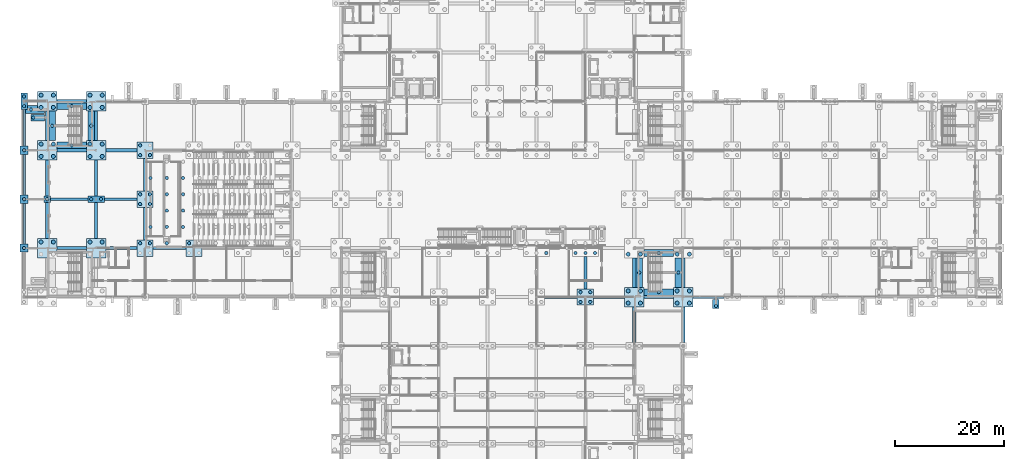
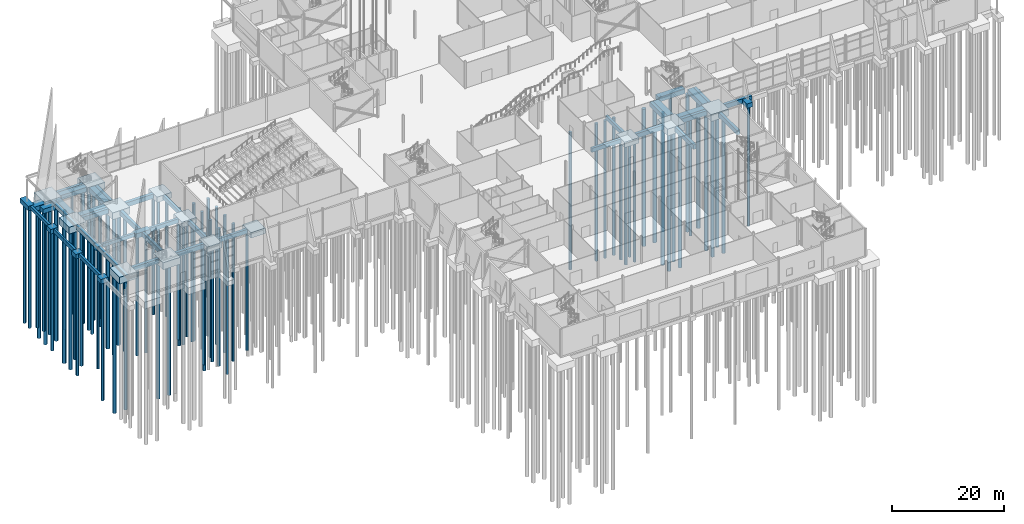
# One storey, part 4 of 139: 80 piles, 58 footings.
"""IFC4 building model written with IfcOpenShell, lengths in metres."""

from ifc_helpers import new_model, si_unit, direction, frame, origin, origin_2d, place, context, subcontext, project, spatial, polyline, rectangle, circle, outline, extrude, material, material_profile, profile_set, type_object, element, save


model = new_model("IFC4")

# Units and contexts
model_context = context("Model", 3, precision=1e-05, world=origin(), true_north=direction((0.0, 1.0)))
body_context = subcontext(model_context, "Body", "Model", "MODEL_VIEW")
ifc_project = project(units=[si_unit("LENGTHUNIT", "METRE"), si_unit("AREAUNIT", "SQUARE_METRE"), si_unit("VOLUMEUNIT", "CUBIC_METRE"), si_unit("PLANEANGLEUNIT", "RADIAN"), si_unit("MASSUNIT", "GRAM", prefix="KILO")], contexts=[model_context])

# Site, building, storey
site_placement = place(None, origin())
site = spatial("IfcSite", under=ifc_project, at=site_placement, CompositionType="ELEMENT")
building_placement = place(site_placement, origin())
building = spatial("IfcBuilding", under=site, at=building_placement, Name="Shorebreak Coast Museum", CompositionType="ELEMENT")
storey_placement = place(building_placement, origin())
storey = spatial("IfcBuildingStorey", under=building, at=storey_placement, Name="L00", CompositionType="ELEMENT", Elevation=0.0)

# Footings
ifc_material_1 = material(Name="Concrete N50 (50 MPa)", Category="concrete")
footing_type_1 = type_object("IfcFootingType", Name="Footing ground beam 450x800", PredefinedType="FOOTING_BEAM", material=ifc_material_1)
footing_1_placement = place(storey_placement, frame((4.050048828125, 72.0, -1.10009765625), z_axis=(0.0, 0.0, 1.0), x_axis=(1.0, 0.0, 0.0)))
element("IfcFooting", 1, at=footing_1_placement, inside=storey, type_object=footing_type_1, Name="Ground beam 1J to 2J", PredefinedType="FOOTING_BEAM", context=body_context, shape_type="SweptSolid", body=[
    extrude(rectangle(XDim=6.89990234375, YDim=0.449951171875, at=origin_2d()), origin(), (0.0, 0.0, 1.0), 0.800048828125),
])
for number, where, z_axis, x_axis, name in (
    (2, (-4.25, 67.5, -1.10009765625), (0.0, 0.0, 1.0), (1.0, 0.0, 0.0), "Ground beam arcade west 2 to 3"),
    (3, (-4.25, 76.5, -1.10009765625), (0.0, 0.0, 1.0), (1.0, 0.0, 0.0), "Ground beam arcade west 3 to 4"),
):
    element("IfcFooting", number, at=place(storey_placement, frame(where, z_axis=z_axis, x_axis=x_axis)), inside=storey, type_object=footing_type_1, Name=name, PredefinedType="FOOTING_BEAM", context=body_context, shape_type="SweptSolid", body=[
        extrude(rectangle(XDim=0.449951171875, YDim=7.5, at=origin_2d()), origin(), (0.0, 0.0, 1.0), 0.800048828125),
    ])
footing_2_placement = place(storey_placement, frame((-4.25, 85.125, -1.10009765625), z_axis=(0.0, 0.0, 1.0), x_axis=(1.0, 0.0, 0.0)))
element("IfcFooting", 4, at=footing_2_placement, inside=storey, type_object=footing_type_1, Name="Ground beam arcade west 4 to 5", PredefinedType="FOOTING_BEAM", context=body_context, shape_type="SweptSolid", body=[
    extrude(rectangle(XDim=0.449951171875, YDim=6.75, at=origin_2d()), origin(), (0.0, 0.0, 1.0), 0.800048828125),
])
ifc_material_2 = material(Name="Concrete N50 (50 MPa)", Category="concrete")
footing_type_2 = type_object("IfcFootingType", Name="Footing ground beam 500x900", PredefinedType="FOOTING_BEAM", material=ifc_material_2)
footing_3_placement = place(storey_placement, frame((94.5, 54.0, -1.199951171875), z_axis=(0.0, 0.0, 1.0), x_axis=(1.0, 0.0, 0.0)))
element("IfcFooting", 5, at=footing_3_placement, inside=storey, type_object=footing_type_2, Name="Ground beam 11G to 12G", PredefinedType="FOOTING_BEAM", context=body_context, shape_type="SweptSolid", body=[
    extrude(rectangle(XDim=6.0, YDim=0.5, at=origin_2d()), origin(), (0.0, 0.0, 1.0), 0.89990234375),
])
footing_4_placement = place(storey_placement, frame((99.0, 58.5, -1.199951171875), z_axis=(0.0, 0.0, 1.0), x_axis=(1.0, 0.0, 0.0)))
element("IfcFooting", 6, at=footing_4_placement, inside=storey, type_object=footing_type_2, Name="Ground beam 12G to 12H", PredefinedType="FOOTING_BEAM", context=body_context, shape_type="SweptSolid", body=[
    extrude(rectangle(XDim=0.5, YDim=6.0, at=origin_2d()), origin(), (0.0, 0.0, 1.0), 0.89990234375),
])
footing_5_placement = place(storey_placement, frame((22.5, 63.0, -1.199951171875), z_axis=(0.0, 0.0, 1.0), x_axis=(1.0, 0.0, 0.0)))
element("IfcFooting", 7, at=footing_5_placement, inside=storey, type_object=footing_type_2, Name="Ground beam 3H to 4H", PredefinedType="FOOTING_BEAM", context=body_context, shape_type="SweptSolid", body=[
    extrude(rectangle(XDim=6.0, YDim=0.5, at=origin_2d()), origin(), (0.0, 0.0, 1.0), 0.89990234375),
])
footing_6_placement = place(storey_placement, frame((18.0, 67.5, -1.199951171875), z_axis=(0.0, 0.0, 1.0), x_axis=(1.0, 0.0, 0.0)))
element("IfcFooting", 8, at=footing_6_placement, inside=storey, type_object=footing_type_2, Name="Ground beam 3H to 3J", PredefinedType="FOOTING_BEAM", context=body_context, shape_type="SweptSolid", body=[
    extrude(rectangle(XDim=0.5, YDim=6.0, at=origin_2d()), origin(), (0.0, 0.0, 1.0), 0.89990234375),
])
footing_7_placement = place(storey_placement, frame((13.5, 72.0, -1.199951171875), z_axis=(0.0, 0.0, 1.0), x_axis=(1.0, 0.0, 0.0)))
element("IfcFooting", 9, at=footing_7_placement, inside=storey, type_object=footing_type_2, Name="Ground beam 2J to 3J", PredefinedType="FOOTING_BEAM", context=body_context, shape_type="SweptSolid", body=[
    extrude(rectangle(XDim=6.0, YDim=0.5, at=origin_2d()), origin(), (0.0, 0.0, 1.0), 0.89990234375),
])
footing_8_placement = place(storey_placement, frame((18.0, 76.5, -1.199951171875), z_axis=(0.0, 0.0, 1.0), x_axis=(1.0, 0.0, 0.0)))
element("IfcFooting", 10, at=footing_8_placement, inside=storey, type_object=footing_type_2, Name="Ground beam 3J to 3K", PredefinedType="FOOTING_BEAM", context=body_context, shape_type="SweptSolid", body=[
    extrude(rectangle(XDim=0.5, YDim=6.0, at=origin_2d()), origin(), (0.0, 0.0, 1.0), 0.89990234375),
])
ifc_material_3 = material(Name="Concrete N50 (50 MPa)", Category="concrete")
footing_type_3 = type_object("IfcFootingType", Name="Footing ground beam 600x1000", PredefinedType="FOOTING_BEAM", material=ifc_material_3)
for number, where, z_axis, x_axis, name in (
    (11, (108.0, 48.89990234375, -1.300048828125), (0.0, 0.0, 1.0), (1.0, 0.0, 0.0), "Ground beam 13F to 13G"),
    (12, (117.0, 48.89990234375, -1.300048828125), (0.0, 0.0, 1.0), (1.0, 0.0, 0.0), "Ground beam 14F to 14G"),
):
    element("IfcFooting", number, at=place(storey_placement, frame(where, z_axis=z_axis, x_axis=x_axis)), inside=storey, type_object=footing_type_3, Name=name, PredefinedType="FOOTING_BEAM", context=body_context, shape_type="SweptSolid", body=[
        extrude(rectangle(XDim=0.60009765625, YDim=6.60009765625, at=origin_2d()), origin(), (0.0, 0.0, 1.0), 1.0),
    ])
footing_9_placement = place(storey_placement, frame((103.35009765625, 54.0, -1.300048828125), z_axis=(0.0, 0.0, 1.0), x_axis=(1.0, 0.0, 0.0)))
element("IfcFooting", 13, at=footing_9_placement, inside=storey, type_object=footing_type_3, Name="Ground beam 12G to 13G", PredefinedType="FOOTING_BEAM", context=body_context, shape_type="SweptSolid", body=[
    extrude(rectangle(XDim=5.699951171875, YDim=0.60009765625, at=origin_2d()), origin(), (0.0, 0.0, 1.0), 1.0),
])
footing_10_placement = place(storey_placement, frame((112.5, 54.0, -1.300048828125), z_axis=(0.0, 0.0, 1.0), x_axis=(1.0, 0.0, 0.0)))
element("IfcFooting", 14, at=footing_10_placement, inside=storey, type_object=footing_type_3, Name="Ground beam 13G to 14G", PredefinedType="FOOTING_BEAM", context=body_context, shape_type="SweptSolid", body=[
    extrude(rectangle(XDim=5.39990234375, YDim=0.60009765625, at=origin_2d()), origin(), (0.0, 0.0, 1.0), 1.0),
])
footing_11_placement = place(storey_placement, frame((108.0, 58.5, -1.300048828125), z_axis=(0.0, 0.0, 1.0), x_axis=(1.0, 0.0, 0.0)))
element("IfcFooting", 15, at=footing_11_placement, inside=storey, type_object=footing_type_3, Name="Ground beam 13G to 13H", PredefinedType="FOOTING_BEAM", context=body_context, shape_type="SweptSolid", body=[
    extrude(rectangle(XDim=0.60009765625, YDim=5.39990234375, at=origin_2d()), origin(), (0.0, 0.0, 1.0), 1.0),
])
footing_12_placement = place(storey_placement, frame((121.64990234375, 54.0, -1.300048828125), z_axis=(0.0, 0.0, 1.0), x_axis=(1.0, 0.0, 0.0)))
element("IfcFooting", 16, at=footing_12_placement, inside=storey, type_object=footing_type_3, Name="Ground beam 14G to 15G", PredefinedType="FOOTING_BEAM", context=body_context, shape_type="SweptSolid", body=[
    extrude(rectangle(XDim=5.699951171875, YDim=0.60009765625, at=origin_2d()), origin(), (0.0, 0.0, 1.0), 1.0),
])
footing_13_placement = place(storey_placement, frame((117.0, 58.5, -1.300048828125), z_axis=(0.0, 0.0, 1.0), x_axis=(1.0, 0.0, 0.0)))
element("IfcFooting", 17, at=footing_13_placement, inside=storey, type_object=footing_type_3, Name="Ground beam 14G to 14H", PredefinedType="FOOTING_BEAM", context=body_context, shape_type="SweptSolid", body=[
    extrude(rectangle(XDim=0.60009765625, YDim=5.39990234375, at=origin_2d()), origin(), (0.0, 0.0, 1.0), 1.0),
])
footing_14_placement = place(storey_placement, frame((4.5, 63.0, -1.300048828125), z_axis=(0.0, 0.0, 1.0), x_axis=(1.0, 0.0, 0.0)))
element("IfcFooting", 18, at=footing_14_placement, inside=storey, type_object=footing_type_3, Name="Ground beam 1H to 2H", PredefinedType="FOOTING_BEAM", context=body_context, shape_type="SweptSolid", body=[
    extrude(rectangle(XDim=5.39990234375, YDim=0.60009765625, at=origin_2d()), origin(), (0.0, 0.0, 1.0), 1.0),
])
footing_15_placement = place(storey_placement, frame((0.0, 68.10009765625, -1.300048828125), z_axis=(0.0, 0.0, 1.0), x_axis=(1.0, 0.0, 0.0)))
element("IfcFooting", 19, at=footing_15_placement, inside=storey, type_object=footing_type_3, Name="Ground beam 1H to 1J", PredefinedType="FOOTING_BEAM", context=body_context, shape_type="SweptSolid", body=[
    extrude(rectangle(XDim=0.60009765625, YDim=6.60009765625, at=origin_2d()), origin(), (0.0, 0.0, 1.0), 1.0),
])
footing_16_placement = place(storey_placement, frame((13.64990234375, 63.0, -1.300048828125), z_axis=(0.0, 0.0, 1.0), x_axis=(1.0, 0.0, 0.0)))
element("IfcFooting", 20, at=footing_16_placement, inside=storey, type_object=footing_type_3, Name="Ground beam 2H to 3H", PredefinedType="FOOTING_BEAM", context=body_context, shape_type="SweptSolid", body=[
    extrude(rectangle(XDim=5.699951171875, YDim=0.60009765625, at=origin_2d()), origin(), (0.0, 0.0, 1.0), 1.0),
])
for number, where, z_axis, x_axis, name in (
    (21, (9.0, 68.10009765625, -1.300048828125), (0.0, 0.0, 1.0), (1.0, 0.0, 0.0), "Ground beam 2H to 2J"),
    (22, (0.0, 75.89990234375, -1.300048828125), (0.0, 0.0, 1.0), (1.0, 0.0, 0.0), "Ground beam 1J to 1K"),
    (23, (9.0, 75.89990234375, -1.300048828125), (0.0, 0.0, 1.0), (1.0, 0.0, 0.0), "Ground beam 2J to 2K"),
):
    element("IfcFooting", number, at=place(storey_placement, frame(where, z_axis=z_axis, x_axis=x_axis)), inside=storey, type_object=footing_type_3, Name=name, PredefinedType="FOOTING_BEAM", context=body_context, shape_type="SweptSolid", body=[
        extrude(rectangle(XDim=0.60009765625, YDim=6.60009765625, at=origin_2d()), origin(), (0.0, 0.0, 1.0), 1.0),
    ])
footing_17_placement = place(storey_placement, frame((4.5, 81.0, -1.300048828125), z_axis=(0.0, 0.0, 1.0), x_axis=(1.0, 0.0, 0.0)))
element("IfcFooting", 24, at=footing_17_placement, inside=storey, type_object=footing_type_3, Name="Ground beam 1K to 2K", PredefinedType="FOOTING_BEAM", context=body_context, shape_type="SweptSolid", body=[
    extrude(rectangle(XDim=5.39990234375, YDim=0.60009765625, at=origin_2d()), origin(), (0.0, 0.0, 1.0), 1.0),
])
footing_18_placement = place(storey_placement, frame((0.0, 85.5, -1.300048828125), z_axis=(0.0, 0.0, 1.0), x_axis=(1.0, 0.0, 0.0)))
element("IfcFooting", 25, at=footing_18_placement, inside=storey, type_object=footing_type_3, Name="Ground beam 1K to 1L", PredefinedType="FOOTING_BEAM", context=body_context, shape_type="SweptSolid", body=[
    extrude(rectangle(XDim=0.60009765625, YDim=5.39990234375, at=origin_2d()), origin(), (0.0, 0.0, 1.0), 1.0),
])
footing_19_placement = place(storey_placement, frame((13.64990234375, 81.0, -1.300048828125), z_axis=(0.0, 0.0, 1.0), x_axis=(1.0, 0.0, 0.0)))
element("IfcFooting", 26, at=footing_19_placement, inside=storey, type_object=footing_type_3, Name="Ground beam 2K to 3K", PredefinedType="FOOTING_BEAM", context=body_context, shape_type="SweptSolid", body=[
    extrude(rectangle(XDim=5.699951171875, YDim=0.60009765625, at=origin_2d()), origin(), (0.0, 0.0, 1.0), 1.0),
])
footing_20_placement = place(storey_placement, frame((9.0, 85.5, -1.300048828125), z_axis=(0.0, 0.0, 1.0), x_axis=(1.0, 0.0, 0.0)))
element("IfcFooting", 27, at=footing_20_placement, inside=storey, type_object=footing_type_3, Name="Ground beam 2K to 2L", PredefinedType="FOOTING_BEAM", context=body_context, shape_type="SweptSolid", body=[
    extrude(rectangle(XDim=0.60009765625, YDim=5.39990234375, at=origin_2d()), origin(), (0.0, 0.0, 1.0), 1.0),
])
footing_21_placement = place(storey_placement, frame((4.5, 90.0, -1.300048828125), z_axis=(0.0, 0.0, 1.0), x_axis=(1.0, 0.0, 0.0)))
element("IfcFooting", 28, at=footing_21_placement, inside=storey, type_object=footing_type_3, Name="Ground beam 1L to 2L", PredefinedType="FOOTING_BEAM", context=body_context, shape_type="SweptSolid", body=[
    extrude(rectangle(XDim=5.39990234375, YDim=0.60009765625, at=origin_2d()), origin(), (0.0, 0.0, 1.0), 1.0),
])
ifc_material_4 = material(Name="Concrete N50 (50 MPa)", Category="concrete")
footing_type_4 = type_object("IfcFootingType", Name="Footing pile cap 1200x1200x1000", PredefinedType="PILE_CAP", material=ifc_material_4)
footing_22_placement = place(storey_placement, frame((0.0, 72.0, -1.300048828125), z_axis=(0.0, 0.0, 1.0), x_axis=(1.0, 0.0, 0.0)))
element("IfcFooting", 29, at=footing_22_placement, inside=storey, type_object=footing_type_4, Name="Pile cap 1J", PredefinedType="PILE_CAP", context=body_context, shape_type="SweptSolid", body=[
    extrude(rectangle(XDim=1.199951171875, YDim=1.199951171875, at=origin_2d()), origin(), (0.0, 0.0, 1.0), 1.0),
])
ifc_material_5 = material(Name="Concrete N50 (50 MPa)", Category="concrete")
footing_type_5 = type_object("IfcFootingType", Name="Footing pile cap 1200x3000x1000", PredefinedType="PILE_CAP", material=ifc_material_5)
footing_23_placement = place(storey_placement, frame((-4.25, 90.0, -1.300048828125), z_axis=(0.0, 0.0, 1.0), x_axis=(1.0, 0.0, 0.0)))
element("IfcFooting", 30, at=footing_23_placement, inside=storey, type_object=footing_type_5, Name="Pile cap arcade west 5", PredefinedType="PILE_CAP", context=body_context, shape_type="SweptSolid", body=[
    extrude(rectangle(XDim=1.199951171875, YDim=3.0, at=origin_2d()), origin(), (0.0, 0.0, 1.0), 1.0),
])
ifc_material_6 = material(Name="Concrete N50 (50 MPa)", Category="concrete")
footing_type_6 = type_object("IfcFootingType", Name="Footing pile cap 1500x1500x1000", PredefinedType="PILE_CAP", material=ifc_material_6)
for number, where, z_axis, x_axis, name in (
    (31, (-4.25, 63.0, -1.300048828125), (0.0, 0.0, 1.0), (1.0, 0.0, 0.0), "Pile cap arcade west 2"),
    (32, (-4.25, 72.0, -1.300048828125), (0.0, 0.0, 1.0), (1.0, 0.0, 0.0), "Pile cap arcade west 3"),
    (33, (-4.25, 81.0, -1.300048828125), (0.0, 0.0, 1.0), (1.0, 0.0, 0.0), "Pile cap arcade west 4"),
):
    element("IfcFooting", number, at=place(storey_placement, frame(where, z_axis=z_axis, x_axis=x_axis)), inside=storey, type_object=footing_type_6, Name=name, PredefinedType="PILE_CAP", context=body_context, shape_type="SweptSolid", body=[
        extrude(rectangle(XDim=1.5, YDim=1.5, at=origin_2d()), origin(), (0.0, 0.0, 1.0), 1.0),
    ])
ifc_material_7 = material(Name="Concrete N50 (50 MPa)", Category="concrete")
footing_type_7 = type_object("IfcFootingType", Name="Footing pile cap 3000x1200x1000", PredefinedType="PILE_CAP", material=ifc_material_7)
footing_24_placement = place(storey_placement, frame((9.0, 72.0, -1.300048828125), z_axis=(0.0, 0.0, 1.0), x_axis=(1.0, 0.0, 0.0)))
element("IfcFooting", 34, at=footing_24_placement, inside=storey, type_object=footing_type_7, Name="Pile cap 2J", PredefinedType="PILE_CAP", context=body_context, shape_type="SweptSolid", body=[
    extrude(rectangle(XDim=3.0, YDim=1.199951171875, at=origin_2d()), origin(), (0.0, 0.0, 1.0), 1.0),
])
ifc_material_8 = material(Name="Concrete N50 (50 MPa)", Category="concrete")
footing_type_8 = type_object("IfcFootingType", Name="Footing pile cap 3000x3000x1200", PredefinedType="PILE_CAP", material=ifc_material_8)
for number, where, z_axis, x_axis, name in (
    (35, (99.0, 54.0, -1.5), (0.0, 0.0, 1.0), (1.0, 0.0, 0.0), "Pile cap 12G"),
    (36, (18.0, 63.0, -1.5), (0.0, 0.0, 1.0), (1.0, 0.0, 0.0), "Pile cap 3H"),
    (37, (27.0, 63.0, -1.5), (0.0, 0.0, 1.0), (1.0, 0.0, 0.0), "Pile cap 4H"),
    (38, (18.0, 72.0, -1.5), (0.0, 0.0, 1.0), (1.0, 0.0, 0.0), "Pile cap 3J"),
    (39, (18.0, 81.0, -1.5), (0.0, 0.0, 1.0), (1.0, 0.0, 0.0), "Pile cap 3K"),
):
    element("IfcFooting", number, at=place(storey_placement, frame(where, z_axis=z_axis, x_axis=x_axis)), inside=storey, type_object=footing_type_8, Name=name, PredefinedType="PILE_CAP", context=body_context, shape_type="SweptSolid", body=[
        extrude(rectangle(XDim=3.0, YDim=3.0, at=origin_2d()), origin(), (0.0, 0.0, 1.0), 1.199951171875),
    ])
ifc_material_9 = material(Name="Concrete N50 (50 MPa)", Category="concrete")
footing_type_9 = type_object("IfcFootingType", Name="Footing pile cap 3600x3600x1500", PredefinedType="PILE_CAP", material=ifc_material_9)
for number, where, z_axis, x_axis, name in (
    (40, (108.0, 54.0, -1.800048828125), (0.0, 0.0, 1.0), (1.0, 0.0, 0.0), "Pile cap 13G"),
    (41, (117.0, 54.0, -1.800048828125), (0.0, 0.0, 1.0), (1.0, 0.0, 0.0), "Pile cap 14G"),
    (42, (0.0, 63.0, -1.800048828125), (0.0, 0.0, 1.0), (1.0, 0.0, 0.0), "Pile cap 1H"),
    (43, (9.0, 63.0, -1.800048828125), (0.0, 0.0, 1.0), (1.0, 0.0, 0.0), "Pile cap 2H"),
    (44, (0.0, 81.0, -1.800048828125), (0.0, 0.0, 1.0), (1.0, 0.0, 0.0), "Pile cap 1K"),
    (45, (9.0, 81.0, -1.800048828125), (0.0, 0.0, 1.0), (1.0, 0.0, 0.0), "Pile cap 2K"),
    (46, (0.0, 90.0, -1.800048828125), (0.0, 0.0, 1.0), (1.0, 0.0, 0.0), "Pile cap 1L"),
    (47, (9.0, 90.0, -1.800048828125), (0.0, 0.0, 1.0), (1.0, 0.0, 0.0), "Pile cap 2L"),
):
    element("IfcFooting", number, at=place(storey_placement, frame(where, z_axis=z_axis, x_axis=x_axis)), inside=storey, type_object=footing_type_9, Name=name, PredefinedType="PILE_CAP", context=body_context, shape_type="SweptSolid", body=[
        extrude(rectangle(XDim=3.60009765625, YDim=3.60009765625, at=origin_2d()), origin(), (0.0, 0.0, 1.0), 1.5),
    ])
ifc_material_10 = material(Name="Concrete N50 (50 MPa)", Category="concrete")
footing_type_10 = type_object("IfcFootingType", Name="Footing strip footing 1200x1650x1000", PredefinedType="STRIP_FOOTING", material=ifc_material_10)
footing_25_placement = place(storey_placement, frame((123.0, 52.72509765625, -1.300048828125), z_axis=(0.0, 0.0, 1.0), x_axis=(1.0, 0.0, 0.0)))
element("IfcFooting", 48, at=footing_25_placement, inside=storey, type_object=footing_type_10, Name="Fin pad ES28", PredefinedType="STRIP_FOOTING", context=body_context, shape_type="SweptSolid", body=[
    extrude(rectangle(XDim=1.199951171875, YDim=1.64990234375, at=origin_2d()), origin(), (0.0, 0.0, 1.0), 1.0),
])
ifc_material_11 = material(Name="Concrete N50 (50 MPa)", Category="concrete")
footing_type_11 = type_object("IfcFootingType", Name="Footing strip footing 1200x5400x1000", PredefinedType="STRIP_FOOTING", material=ifc_material_11)
for number, where, z_axis, x_axis, name in (
    (49, (108.89990234375, 58.5, -1.300048828125), (0.0, 0.0, 1.0), (1.0, 0.0, 0.0), "Core wall strip footing ST02 west side"),
    (50, (116.10009765625, 58.5, -1.300048828125), (0.0, 0.0, 1.0), (1.0, 0.0, 0.0), "Core wall strip footing ST02 east side"),
    (51, (0.89990234375, 85.5, -1.300048828125), (0.0, 0.0, 1.0), (1.0, 0.0, 0.0), "Core wall strip footing ST06 west side"),
    (52, (8.10009765625, 85.5, -1.300048828125), (0.0, 0.0, 1.0), (1.0, 0.0, 0.0), "Core wall strip footing ST06 east side"),
):
    element("IfcFooting", number, at=place(storey_placement, frame(where, z_axis=z_axis, x_axis=x_axis)), inside=storey, type_object=footing_type_11, Name=name, PredefinedType="STRIP_FOOTING", context=body_context, shape_type="SweptSolid", body=[
        extrude(rectangle(XDim=1.199951171875, YDim=5.39990234375, at=origin_2d()), origin(), (0.0, 0.0, 1.0), 1.0),
    ])
ifc_material_12 = material(Name="Concrete N50 (50 MPa)", Category="concrete")
footing_type_12 = type_object("IfcFootingType", Name="Footing strip footing 2550x1200x1000", PredefinedType="STRIP_FOOTING", material=ifc_material_12)
footing_26_placement = place(storey_placement, frame((-1.72509765625, 87.0, -1.300048828125), z_axis=(0.0, 0.0, 1.0), x_axis=(1.0, 0.0, 0.0)))
element("IfcFooting", 53, at=footing_26_placement, inside=storey, type_object=footing_type_12, Name="Fin pad W03", PredefinedType="STRIP_FOOTING", context=body_context, shape_type="SweptSolid", body=[
    extrude(rectangle(XDim=2.550048828125, YDim=1.199951171875, at=origin_2d()), origin(), (0.0, 0.0, 1.0), 1.0),
])
ifc_material_13 = material(Name="Concrete N50 (50 MPa)", Category="concrete")
footing_type_13 = type_object("IfcFootingType", Name="Footing strip footing 3750x1500x1000 notched", PredefinedType="STRIP_FOOTING", material=ifc_material_13)
footing_27_placement = place(storey_placement, frame((0.0, 0.0, -1.300048828125)))
element("IfcFooting", 54, at=footing_27_placement, inside=storey, type_object=footing_type_13, Name="Fin pad W04", PredefinedType="STRIP_FOOTING", context=body_context, shape_type="SweptSolid", body=[
    extrude(outline(polyline([(-0.449951171875, 87.75), (-4.199951171875, 87.75), (-4.199951171875, 89.25), (-1.800048828125, 89.25), (-1.800048828125, 88.199951171875), (-0.449951171875, 88.199951171875), (-0.449951171875, 87.75)])), origin(), (0.0, 0.0, 1.0), 1.0),
])
ifc_material_14 = material(Name="Concrete N50 (50 MPa)", Category="concrete")
footing_type_14 = type_object("IfcFootingType", Name="Footing strip footing 5400x1200x1000", PredefinedType="STRIP_FOOTING", material=ifc_material_14)
for number, where, z_axis, x_axis, name in (
    (55, (112.5, 54.89990234375, -1.300048828125), (0.0, 0.0, 1.0), (1.0, 0.0, 0.0), "Core wall strip footing ST02 south side"),
    (56, (112.5, 62.10009765625, -1.300048828125), (0.0, 0.0, 1.0), (1.0, 0.0, 0.0), "Core wall strip footing ST02 north side"),
    (57, (4.5, 81.89990234375, -1.300048828125), (0.0, 0.0, 1.0), (1.0, 0.0, 0.0), "Core wall strip footing ST06 south side"),
    (58, (4.5, 89.10009765625, -1.300048828125), (0.0, 0.0, 1.0), (1.0, 0.0, 0.0), "Core wall strip footing ST06 north side"),
):
    element("IfcFooting", number, at=place(storey_placement, frame(where, z_axis=z_axis, x_axis=x_axis)), inside=storey, type_object=footing_type_14, Name=name, PredefinedType="STRIP_FOOTING", context=body_context, shape_type="SweptSolid", body=[
        extrude(rectangle(XDim=5.39990234375, YDim=1.199951171875, at=origin_2d()), origin(), (0.0, 0.0, 1.0), 1.0),
    ])

# Piles
ifc_material_15 = material(Name="Concrete N50 (50 MPa)", Category="concrete")
ifc_material_profile_1 = material_profile(ifc_material_15, circle(Radius=0.300048828125, at=origin_2d()), Name="Pile bored 600 length 26")
ifc_profile_set_1 = profile_set([ifc_material_profile_1], Name="Concrete N50 (50 MPa)")
pile_type_1 = type_object("IfcPileType", Name="Pile bored 600 length 26", PredefinedType="BORED", material=ifc_profile_set_1)
for number, where, z_axis, x_axis, name in (
    (59, (98.10009765625, 53.10009765625, -1.5), (0.0, 0.0, -1.0), (1.0, 0.0, 0.0), "Bored pile Pile cap 12G 1"),
    (60, (99.89990234375, 53.10009765625, -1.5), (0.0, 0.0, -1.0), (1.0, 0.0, 0.0), "Bored pile Pile cap 12G 2"),
    (61, (98.10009765625, 54.89990234375, -1.5), (0.0, 0.0, -1.0), (1.0, 0.0, 0.0), "Bored pile Pile cap 12G 3"),
    (62, (99.89990234375, 54.89990234375, -1.5), (0.0, 0.0, -1.0), (1.0, 0.0, 0.0), "Bored pile Pile cap 12G 4"),
    (63, (17.10009765625, 63.89990234375, -1.5), (0.0, 0.0, -1.0), (1.0, 0.0, 0.0), "Bored pile Pile cap 3H 3"),
    (64, (18.89990234375, 63.89990234375, -1.5), (0.0, 0.0, -1.0), (1.0, 0.0, 0.0), "Bored pile Pile cap 3H 4"),
    (65, (26.10009765625, 63.89990234375, -1.5), (0.0, 0.0, -1.0), (1.0, 0.0, 0.0), "Bored pile Pile cap 4H 3"),
    (66, (0.0, 72.0, -1.300048828125), (0.0, 0.0, -1.0), (1.0, 0.0, 0.0), "Bored pile Pile cap 1J 1"),
    (67, (8.10009765625, 72.0, -1.300048828125), (0.0, 0.0, -1.0), (1.0, 0.0, 0.0), "Bored pile Pile cap 2J 1"),
    (68, (9.89990234375, 72.0, -1.300048828125), (0.0, 0.0, -1.0), (1.0, 0.0, 0.0), "Bored pile Pile cap 2J 2"),
    (69, (17.10009765625, 71.10009765625, -1.5), (0.0, 0.0, -1.0), (1.0, 0.0, 0.0), "Bored pile Pile cap 3J 1"),
    (70, (18.89990234375, 71.10009765625, -1.5), (0.0, 0.0, -1.0), (1.0, 0.0, 0.0), "Bored pile Pile cap 3J 2"),
    (71, (17.10009765625, 72.89990234375, -1.5), (0.0, 0.0, -1.0), (1.0, 0.0, 0.0), "Bored pile Pile cap 3J 3"),
    (72, (18.89990234375, 72.89990234375, -1.5), (0.0, 0.0, -1.0), (1.0, 0.0, 0.0), "Bored pile Pile cap 3J 4"),
    (73, (17.10009765625, 80.10009765625, -1.5), (0.0, 0.0, -1.0), (1.0, 0.0, 0.0), "Bored pile Pile cap 3K 1"),
    (74, (18.89990234375, 80.10009765625, -1.5), (0.0, 0.0, -1.0), (1.0, 0.0, 0.0), "Bored pile Pile cap 3K 2"),
    (75, (17.10009765625, 81.89990234375, -1.5), (0.0, 0.0, -1.0), (1.0, 0.0, 0.0), "Bored pile Pile cap 3K 3"),
    (76, (112.5, 54.89990234375, -1.300048828125), (0.0, 0.0, -1.0), (1.0, 0.0, 0.0), "Bored pile Core wall strip footing ST02 south side 1"),
    (77, (112.5, 62.10009765625, -1.300048828125), (0.0, 0.0, -1.0), (1.0, 0.0, 0.0), "Bored pile Core wall strip footing ST02 north side 1"),
    (78, (108.89990234375, 58.5, -1.300048828125), (0.0, 0.0, -1.0), (1.0, 0.0, 0.0), "Bored pile Core wall strip footing ST02 west side 1"),
    (79, (116.10009765625, 58.5, -1.300048828125), (0.0, 0.0, -1.0), (1.0, 0.0, 0.0), "Bored pile Core wall strip footing ST02 east side 1"),
    (80, (4.5, 81.89990234375, -1.300048828125), (0.0, 0.0, -1.0), (1.0, 0.0, 0.0), "Bored pile Core wall strip footing ST06 south side 1"),
    (81, (4.5, 89.10009765625, -1.300048828125), (0.0, 0.0, -1.0), (1.0, 0.0, 0.0), "Bored pile Core wall strip footing ST06 north side 1"),
    (82, (0.89990234375, 85.5, -1.300048828125), (0.0, 0.0, -1.0), (1.0, 0.0, 0.0), "Bored pile Core wall strip footing ST06 west side 1"),
    (83, (8.10009765625, 85.5, -1.300048828125), (0.0, 0.0, -1.0), (1.0, 0.0, 0.0), "Bored pile Core wall strip footing ST06 east side 1"),
    (84, (-2.550048828125, 87.0, -1.300048828125), (0.0, 0.0, -1.0), (1.0, 0.0, 0.0), "Bored pile Fin pad W03 1"),
    (85, (-3.0, 88.5, -1.300048828125), (0.0, 0.0, -1.0), (1.0, 0.0, 0.0), "Bored pile Fin pad W04 1"),
    (86, (123.0, 52.35009765625, -1.300048828125), (0.0, 0.0, -1.0), (1.0, 0.0, 0.0), "Bored pile Fin pad ES28 1"),
    (87, (-4.25, 63.0, -1.300048828125), (0.0, 0.0, -1.0), (1.0, 0.0, 0.0), "Bored pile arcade west 2 1"),
    (88, (-4.25, 72.0, -1.300048828125), (0.0, 0.0, -1.0), (1.0, 0.0, 0.0), "Bored pile arcade west 3 1"),
    (89, (-4.25, 81.0, -1.300048828125), (0.0, 0.0, -1.0), (1.0, 0.0, 0.0), "Bored pile arcade west 4 1"),
    (90, (-4.25, 89.10009765625, -1.300048828125), (0.0, 0.0, -1.0), (1.0, 0.0, 0.0), "Bored pile arcade west 5 1"),
    (91, (-4.25, 90.89990234375, -1.300048828125), (0.0, 0.0, -1.0), (1.0, 0.0, 0.0), "Bored pile arcade west 5 2"),
):
    element("IfcPile", number, at=place(storey_placement, frame(where, z_axis=z_axis, x_axis=x_axis)), inside=storey, type_object=pile_type_1, Name=name, PredefinedType="BORED", context=body_context, shape_type="SweptSolid", body=[
        extrude(circle(Radius=0.300048828125, at=origin_2d()), origin(), (0.0, 0.0, 1.0), 26.0),
    ])
ifc_material_16 = material(Name="Concrete N50 (50 MPa)", Category="concrete")
ifc_material_profile_2 = material_profile(ifc_material_16, circle(Radius=0.300048828125, at=origin_2d()), Name="Pile bored 600 length 30")
ifc_profile_set_2 = profile_set([ifc_material_profile_2], Name="Concrete N50 (50 MPa)")
pile_type_2 = type_object("IfcPileType", Name="Pile bored 600 length 30", PredefinedType="BORED", material=ifc_profile_set_2)
for number, where, z_axis, x_axis, name in (
    (92, (91.800048828125, 62.10009765625, -1.800048828125), (0.0, 0.0, -1.0), (1.0, 0.0, 0.0), "Bored pile Pile cap 11H 3"),
    (93, (97.199951171875, 62.10009765625, -1.800048828125), (0.0, 0.0, -1.0), (1.0, 0.0, 0.0), "Bored pile Pile cap 12H 1"),
    (94, (99.0, 62.10009765625, -1.800048828125), (0.0, 0.0, -1.0), (1.0, 0.0, 0.0), "Bored pile Pile cap 12H 2"),
    (95, (100.800048828125, 62.10009765625, -1.800048828125), (0.0, 0.0, -1.0), (1.0, 0.0, 0.0), "Bored pile Pile cap 12H 3"),
    (96, (19.0, 66.89990234375, -1.300048828125), (0.0, 0.0, -1.0), (1.0, 0.0, 0.0), "Bored pile Auditorium raker mat footing 1"),
    (97, (19.0, 75.89990234375, -1.300048828125), (0.0, 0.0, -1.0), (1.0, 0.0, 0.0), "Bored pile Auditorium raker mat footing 2"),
    (98, (22.0, 63.89990234375, -1.300048828125), (0.0, 0.0, -1.0), (1.0, 0.0, 0.0), "Bored pile Auditorium raker mat footing 3"),
    (99, (22.0, 66.89990234375, -1.300048828125), (0.0, 0.0, -1.0), (1.0, 0.0, 0.0), "Bored pile Auditorium raker mat footing 4"),
    (100, (22.0, 69.89990234375, -1.300048828125), (0.0, 0.0, -1.0), (1.0, 0.0, 0.0), "Bored pile Auditorium raker mat footing 5"),
    (101, (22.0, 72.89990234375, -1.300048828125), (0.0, 0.0, -1.0), (1.0, 0.0, 0.0), "Bored pile Auditorium raker mat footing 6"),
    (102, (22.0, 75.89990234375, -1.300048828125), (0.0, 0.0, -1.0), (1.0, 0.0, 0.0), "Bored pile Auditorium raker mat footing 7"),
    (103, (25.0, 66.89990234375, -1.300048828125), (0.0, 0.0, -1.0), (1.0, 0.0, 0.0), "Bored pile Auditorium raker mat footing 9"),
    (104, (25.0, 69.89990234375, -1.300048828125), (0.0, 0.0, -1.0), (1.0, 0.0, 0.0), "Bored pile Auditorium raker mat footing 10"),
    (105, (25.0, 72.89990234375, -1.300048828125), (0.0, 0.0, -1.0), (1.0, 0.0, 0.0), "Bored pile Auditorium raker mat footing 11"),
    (106, (25.0, 75.89990234375, -1.300048828125), (0.0, 0.0, -1.0), (1.0, 0.0, 0.0), "Bored pile Auditorium raker mat footing 12"),
):
    element("IfcPile", number, at=place(storey_placement, frame(where, z_axis=z_axis, x_axis=x_axis)), inside=storey, type_object=pile_type_2, Name=name, PredefinedType="BORED", context=body_context, shape_type="SweptSolid", body=[
        extrude(circle(Radius=0.300048828125, at=origin_2d()), origin(), (0.0, 0.0, 1.0), 30.0),
    ])
ifc_material_17 = material(Name="Concrete N50 (50 MPa)", Category="concrete")
ifc_material_profile_3 = material_profile(ifc_material_17, circle(Radius=0.375, at=origin_2d()), Name="Pile bored 750 length 30")
ifc_profile_set_3 = profile_set([ifc_material_profile_3], Name="Concrete N50 (50 MPa)")
pile_type_3 = type_object("IfcPileType", Name="Pile bored 750 length 30", PredefinedType="BORED", material=ifc_profile_set_3)
for number, where, z_axis, x_axis, name in (
    (107, (106.875, 52.875, -1.800048828125), (0.0, 0.0, -1.0), (1.0, 0.0, 0.0), "Bored pile Pile cap 13G 1"),
    (108, (109.125, 52.875, -1.800048828125), (0.0, 0.0, -1.0), (1.0, 0.0, 0.0), "Bored pile Pile cap 13G 2"),
    (109, (106.875, 55.125, -1.800048828125), (0.0, 0.0, -1.0), (1.0, 0.0, 0.0), "Bored pile Pile cap 13G 3"),
    (110, (109.125, 55.125, -1.800048828125), (0.0, 0.0, -1.0), (1.0, 0.0, 0.0), "Bored pile Pile cap 13G 4"),
    (111, (115.875, 52.875, -1.800048828125), (0.0, 0.0, -1.0), (1.0, 0.0, 0.0), "Bored pile Pile cap 14G 1"),
    (112, (118.125, 52.875, -1.800048828125), (0.0, 0.0, -1.0), (1.0, 0.0, 0.0), "Bored pile Pile cap 14G 2"),
    (113, (115.875, 55.125, -1.800048828125), (0.0, 0.0, -1.0), (1.0, 0.0, 0.0), "Bored pile Pile cap 14G 3"),
    (114, (118.125, 55.125, -1.800048828125), (0.0, 0.0, -1.0), (1.0, 0.0, 0.0), "Bored pile Pile cap 14G 4"),
    (115, (-1.125, 64.125, -1.800048828125), (0.0, 0.0, -1.0), (1.0, 0.0, 0.0), "Bored pile Pile cap 1H 3"),
    (116, (1.125, 64.125, -1.800048828125), (0.0, 0.0, -1.0), (1.0, 0.0, 0.0), "Bored pile Pile cap 1H 4"),
    (117, (7.875, 64.125, -1.800048828125), (0.0, 0.0, -1.0), (1.0, 0.0, 0.0), "Bored pile Pile cap 2H 3"),
    (118, (10.125, 64.125, -1.800048828125), (0.0, 0.0, -1.0), (1.0, 0.0, 0.0), "Bored pile Pile cap 2H 4"),
    (119, (106.875, 61.875, -1.800048828125), (0.0, 0.0, -1.0), (1.0, 0.0, 0.0), "Bored pile Pile cap 13H 1"),
    (120, (109.125, 61.875, -1.800048828125), (0.0, 0.0, -1.0), (1.0, 0.0, 0.0), "Bored pile Pile cap 13H 2"),
    (121, (115.875, 61.875, -1.800048828125), (0.0, 0.0, -1.0), (1.0, 0.0, 0.0), "Bored pile Pile cap 14H 1"),
    (122, (118.125, 61.875, -1.800048828125), (0.0, 0.0, -1.0), (1.0, 0.0, 0.0), "Bored pile Pile cap 14H 2"),
    (123, (-1.125, 79.875, -1.800048828125), (0.0, 0.0, -1.0), (1.0, 0.0, 0.0), "Bored pile Pile cap 1K 1"),
    (124, (1.125, 79.875, -1.800048828125), (0.0, 0.0, -1.0), (1.0, 0.0, 0.0), "Bored pile Pile cap 1K 2"),
    (125, (-1.125, 82.125, -1.800048828125), (0.0, 0.0, -1.0), (1.0, 0.0, 0.0), "Bored pile Pile cap 1K 3"),
    (126, (1.125, 82.125, -1.800048828125), (0.0, 0.0, -1.0), (1.0, 0.0, 0.0), "Bored pile Pile cap 1K 4"),
    (127, (7.875, 79.875, -1.800048828125), (0.0, 0.0, -1.0), (1.0, 0.0, 0.0), "Bored pile Pile cap 2K 1"),
    (128, (10.125, 79.875, -1.800048828125), (0.0, 0.0, -1.0), (1.0, 0.0, 0.0), "Bored pile Pile cap 2K 2"),
    (129, (7.875, 82.125, -1.800048828125), (0.0, 0.0, -1.0), (1.0, 0.0, 0.0), "Bored pile Pile cap 2K 3"),
    (130, (10.125, 82.125, -1.800048828125), (0.0, 0.0, -1.0), (1.0, 0.0, 0.0), "Bored pile Pile cap 2K 4"),
    (131, (-1.125, 88.875, -1.800048828125), (0.0, 0.0, -1.0), (1.0, 0.0, 0.0), "Bored pile Pile cap 1L 1"),
    (132, (1.125, 88.875, -1.800048828125), (0.0, 0.0, -1.0), (1.0, 0.0, 0.0), "Bored pile Pile cap 1L 2"),
    (133, (-1.125, 91.125, -1.800048828125), (0.0, 0.0, -1.0), (1.0, 0.0, 0.0), "Bored pile Pile cap 1L 3"),
    (134, (1.125, 91.125, -1.800048828125), (0.0, 0.0, -1.0), (1.0, 0.0, 0.0), "Bored pile Pile cap 1L 4"),
    (135, (7.875, 88.875, -1.800048828125), (0.0, 0.0, -1.0), (1.0, 0.0, 0.0), "Bored pile Pile cap 2L 1"),
    (136, (10.125, 88.875, -1.800048828125), (0.0, 0.0, -1.0), (1.0, 0.0, 0.0), "Bored pile Pile cap 2L 2"),
    (137, (7.875, 91.125, -1.800048828125), (0.0, 0.0, -1.0), (1.0, 0.0, 0.0), "Bored pile Pile cap 2L 3"),
    (138, (10.125, 91.125, -1.800048828125), (0.0, 0.0, -1.0), (1.0, 0.0, 0.0), "Bored pile Pile cap 2L 4"),
):
    element("IfcPile", number, at=place(storey_placement, frame(where, z_axis=z_axis, x_axis=x_axis)), inside=storey, type_object=pile_type_3, Name=name, PredefinedType="BORED", context=body_context, shape_type="SweptSolid", body=[
        extrude(circle(Radius=0.375, at=origin_2d()), origin(), (0.0, 0.0, 1.0), 30.0),
    ])

save(model, "model.ifc")
